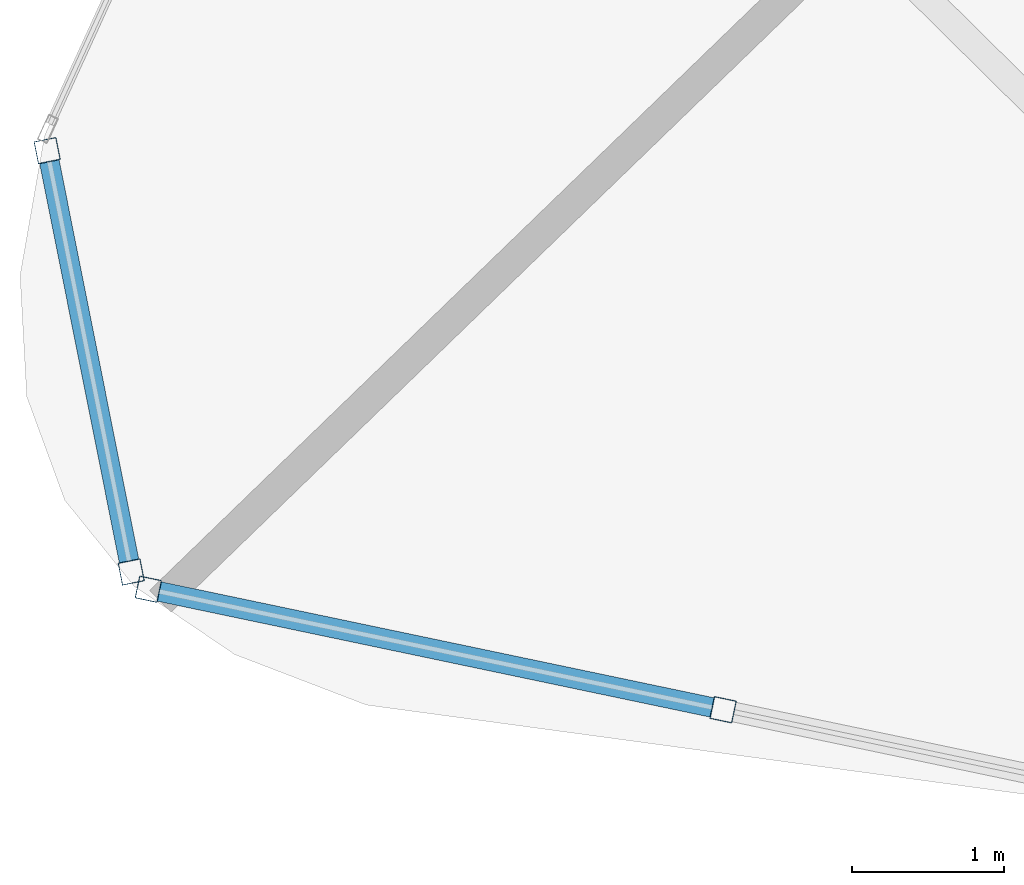
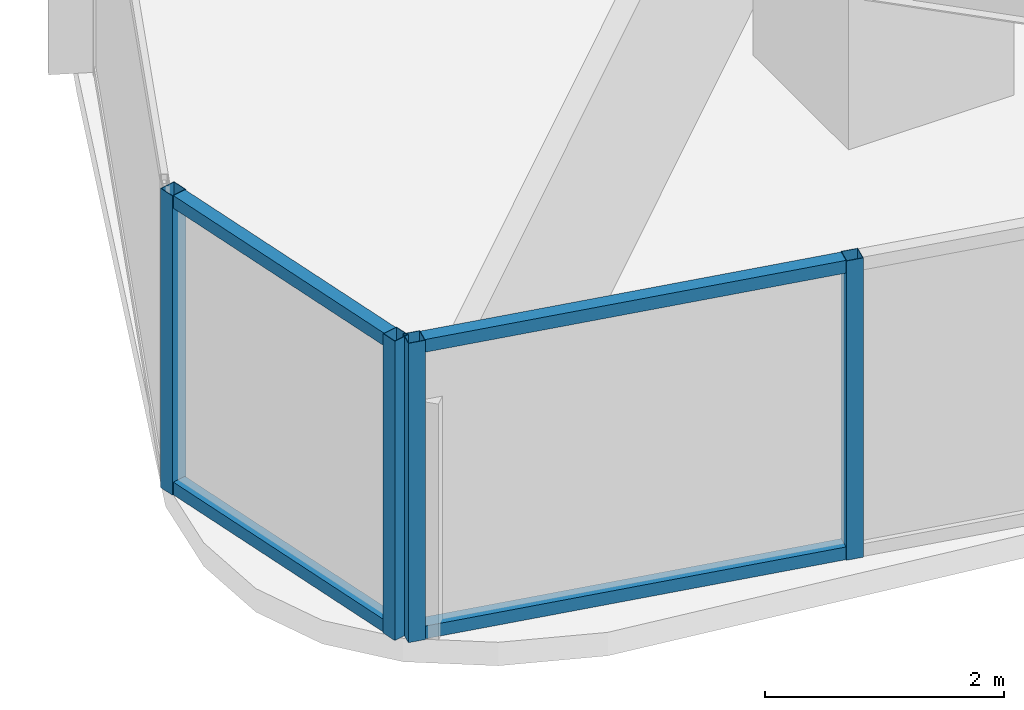
# One storey, part 2 of 33: 8 members, 2 elements without a shape of their own.
"""IFC4 building model written with IfcOpenShell, lengths in metres."""

from ifc_helpers import new_model, si_unit, direction, frame, origin, origin_2d, place, context, subcontext, project, spatial, hollow_rectangle, extrude, material, layer, layer_set, material_profile, profile_set, type_object, element, aggregate, save


model = new_model("IFC4")

# Units and contexts
model_context = context("Model", 3, precision=1e-05, world=origin(), true_north=direction((0.0, 1.0)))
body_context = subcontext(model_context, "Body", "Model", "MODEL_VIEW")
ifc_project = project(units=[si_unit("LENGTHUNIT", "METRE"), si_unit("AREAUNIT", "SQUARE_METRE"), si_unit("VOLUMEUNIT", "CUBIC_METRE"), si_unit("PLANEANGLEUNIT", "RADIAN"), si_unit("MASSUNIT", "GRAM", prefix="KILO")], contexts=[model_context])

# Site, building, storey
site_placement = place(None, origin())
site = spatial("IfcSite", under=ifc_project, at=site_placement, CompositionType="ELEMENT")
building_placement = place(site_placement, origin())
building = spatial("IfcBuilding", under=site, at=building_placement, Name="Orvanel Arch Residences", CompositionType="ELEMENT")
storey_placement = place(building_placement, frame((0.0, 0.0, 90.64990234375)))
storey = spatial("IfcBuildingStorey", under=building, at=storey_placement, Name="L25", CompositionType="ELEMENT", Elevation=90.64990234375)

# Curtain wall, members
ifc_material = material(Name="Bronze-anodised aluminium AA6063-T6", Category="aluminium")
ifc_layer = layer(ifc_material, 0.18994140625)
ifc_layer_set = layer_set([ifc_layer], Name="Bronze-anodised aluminium AA6063-T6")
curtain_wall_type = type_object("IfcCurtainWallType", Name="CW5-CRN-SYS", PredefinedType="NOTDEFINED", material=ifc_layer_set)
curtain_wall_1_placement = place(storey_placement, origin())
curtain_wall_1 = element("IfcCurtainWall", 1, at=curtain_wall_1_placement, inside=storey, type_object=curtain_wall_type, Name="L25 CW5-CRN-SYS Unitised Curtain Wall", PredefinedType="NOTDEFINED")
ifc_material_profile_1 = material_profile(ifc_material, hollow_rectangle(XDim=0.14990234375, YDim=0.14990234375, WallThickness=0.0048828125, at=origin_2d()), Name="ALU150x150x5")
ifc_profile_set_1 = profile_set([ifc_material_profile_1], Name="Bronze-anodised aluminium AA6063-T6")
member_type_1 = type_object("IfcMemberType", Name="MUL-150x150", PredefinedType="MULLION", material=ifc_profile_set_1)
member_1_placement = place(storey_placement, frame((6.03271484375, 8.1025390625, 0.0), z_axis=(0.0, 0.0, 1.0), x_axis=(0.980671084396, 0.195663548547, 0.0)))
member_1 = element("IfcMember", 2, at=member_1_placement, type_object=member_type_1, Name="CW-S5 mullion 1", PredefinedType="MULLION", context=body_context, shape_type="SweptSolid", body=[
    extrude(hollow_rectangle(XDim=0.14990234375, YDim=0.14990234375, WallThickness=0.0048828125, at=origin_2d()), origin(), (0.0, 0.0, 1.0), 3.06005859375),
])
member_2_placement = place(storey_placement, frame((6.585205078125, 5.33251953125, 0.0), z_axis=(0.0, 0.0, 1.0), x_axis=(0.980671084396, 0.195663548547, 0.0)))
member_2 = element("IfcMember", 3, at=member_2_placement, type_object=member_type_1, Name="CW-S5 mullion 2", PredefinedType="MULLION", context=body_context, shape_type="SweptSolid", body=[
    extrude(hollow_rectangle(XDim=0.14990234375, YDim=0.14990234375, WallThickness=0.0048828125, at=origin_2d()), origin(), (0.0, 0.0, 1.0), 3.06005859375),
])

curtain_wall_2_placement = place(storey_placement, origin())
curtain_wall_2 = element("IfcCurtainWall", 4, at=curtain_wall_2_placement, inside=storey, type_object=curtain_wall_type, Name="L25 CW5-CRN-SYS Unitised Curtain Wall", PredefinedType="NOTDEFINED")
member_3_placement = place(storey_placement, frame((6.697509765625, 5.219482421875, 0.0), z_axis=(0.0, 0.0, 1.0), x_axis=(0.205293352027, 0.97870048514, 0.0)))
member_3 = element("IfcMember", 5, at=member_3_placement, type_object=member_type_1, Name="CW-S5 mullion 1", PredefinedType="MULLION", context=body_context, shape_type="SweptSolid", body=[
    extrude(hollow_rectangle(XDim=0.14990234375, YDim=0.14990234375, WallThickness=0.0048828125, at=origin_2d()), origin(), (0.0, 0.0, 1.0), 3.06005859375),
])
member_4_placement = place(storey_placement, frame((10.47607421875, 4.427001953125, 0.0), z_axis=(0.0, 0.0, 1.0), x_axis=(0.205293352027, 0.97870048514, 0.0)))
member_4 = element("IfcMember", 6, at=member_4_placement, type_object=member_type_1, Name="CW-S5 mullion 2", PredefinedType="MULLION", context=body_context, shape_type="SweptSolid", body=[
    extrude(hollow_rectangle(XDim=0.14990234375, YDim=0.14990234375, WallThickness=0.0048828125, at=origin_2d()), origin(), (0.0, 0.0, 1.0), 3.06005859375),
])

# Member
ifc_material_profile_2 = material_profile(ifc_material, hollow_rectangle(XDim=0.1298828125, YDim=0.1298828125, WallThickness=0.00439453125, at=origin_2d()), Name="ALU130x130x4.5")
ifc_profile_set_2 = profile_set([ifc_material_profile_2], Name="Bronze-anodised aluminium AA6063-T6")
member_type_2 = type_object("IfcMemberType", Name="TRN-130x130", PredefinedType="USERDEFINED", material=ifc_profile_set_2)
member_5_placement = place(storey_placement, frame((6.04736328125, 8.02880859375, 0.065185546875), z_axis=(0.195624573826, -0.980678859829, 0.0), x_axis=(0.980678859829, 0.195624573826, 0.0)))
member_5 = element("IfcMember", 7, at=member_5_placement, type_object=member_type_2, Name="CW-S5 transom 1.1", ObjectType="TRANSOM", PredefinedType="USERDEFINED", context=body_context, shape_type="SweptSolid", body=[
    extrude(hollow_rectangle(XDim=0.1298828125, YDim=0.1298828125, WallThickness=0.00439453125, at=origin_2d()), origin(), (0.0, 0.0, 1.0), 2.674560546875),
])

member_6_placement = place(storey_placement, frame((6.04736328125, 8.02880859375, 2.9951171875), z_axis=(0.195624573826, -0.980678859829, 0.0), x_axis=(0.980678859829, 0.195624573826, 0.0)))
member_6 = element("IfcMember", 8, at=member_6_placement, type_object=member_type_2, Name="CW-S5 transom 1.2", ObjectType="TRANSOM", PredefinedType="USERDEFINED", context=body_context, shape_type="SweptSolid", body=[
    extrude(hollow_rectangle(XDim=0.1298828125, YDim=0.1298828125, WallThickness=0.00439453125, at=origin_2d()), origin(), (0.0, 0.0, 1.0), 2.674560546875),
])

aggregate(curtain_wall_1, [member_1, member_2, member_5, member_6])

member_7_placement = place(storey_placement, frame((6.770751953125, 5.2041015625, 0.065185546875), z_axis=(0.97870586565, -0.205267699706, 0.0), x_axis=(0.205267699706, 0.97870586565, 0.0)))
member_7 = element("IfcMember", 9, at=member_7_placement, type_object=member_type_2, Name="CW-S5 transom 1.1", ObjectType="TRANSOM", PredefinedType="USERDEFINED", context=body_context, shape_type="SweptSolid", body=[
    extrude(hollow_rectangle(XDim=0.1298828125, YDim=0.1298828125, WallThickness=0.00439453125, at=origin_2d()), origin(), (0.0, 0.0, 1.0), 3.7109375),
])

member_8_placement = place(storey_placement, frame((6.770751953125, 5.2041015625, 2.9951171875), z_axis=(0.97870586565, -0.205267699706, 0.0), x_axis=(0.205267699706, 0.97870586565, 0.0)))
member_8 = element("IfcMember", 10, at=member_8_placement, type_object=member_type_2, Name="CW-S5 transom 1.2", ObjectType="TRANSOM", PredefinedType="USERDEFINED", context=body_context, shape_type="SweptSolid", body=[
    extrude(hollow_rectangle(XDim=0.1298828125, YDim=0.1298828125, WallThickness=0.00439453125, at=origin_2d()), origin(), (0.0, 0.0, 1.0), 3.7109375),
])

aggregate(curtain_wall_2, [member_3, member_4, member_7, member_8])

save(model, "model.ifc")
